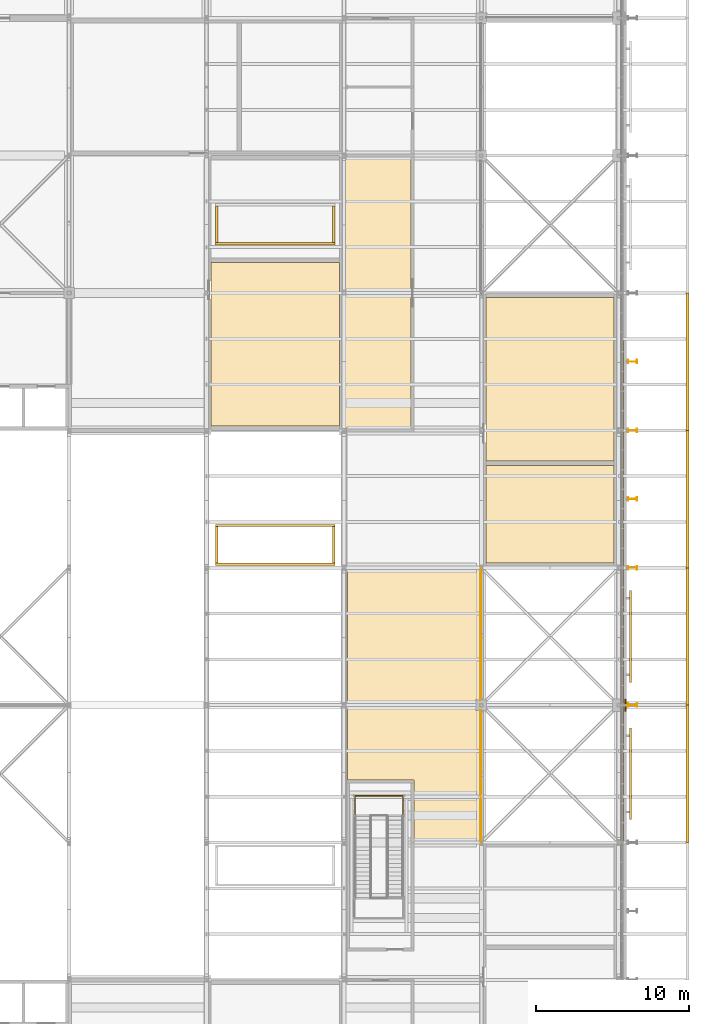
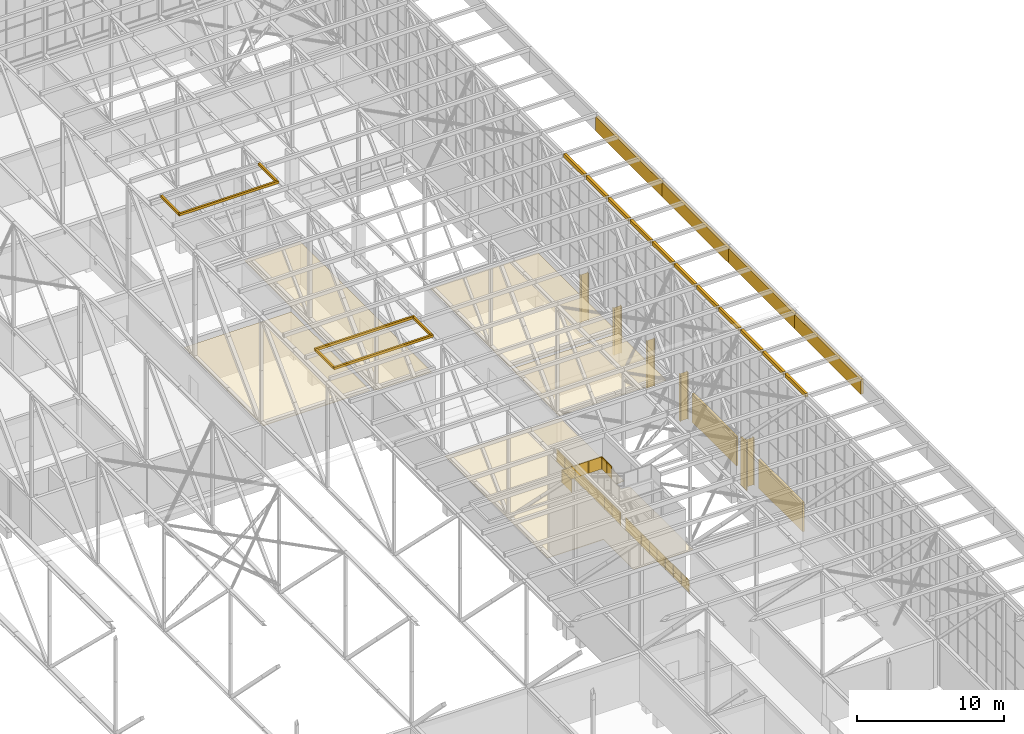
# One storey, part 640 of 646: 28 coverings, 7 shading devices, 3 railings.
"""IFC4 building model written with IfcOpenShell, lengths in metres."""

from ifc_helpers import new_model, si_unit, direction, frame, origin, origin_2d, place, context, subcontext, project, spatial, polyline, rectangle, circle, i_section, outline, extrude, material, layer, layer_set, material_profile, profile_set, type_object, element, save


model = new_model("IFC4")

# Units and contexts
model_context = context("Model", 3, precision=1e-05, world=origin(), true_north=direction((0.0, 1.0)))
body_context = subcontext(model_context, "Body", "Model", "MODEL_VIEW")
ifc_project = project(units=[si_unit("LENGTHUNIT", "METRE"), si_unit("AREAUNIT", "SQUARE_METRE"), si_unit("VOLUMEUNIT", "CUBIC_METRE"), si_unit("PLANEANGLEUNIT", "RADIAN"), si_unit("MASSUNIT", "GRAM", prefix="KILO")], contexts=[model_context])

# Site, building, storey
site_placement = place(None, origin())
site = spatial("IfcSite", under=ifc_project, at=site_placement, CompositionType="ELEMENT")
building_placement = place(site_placement, origin())
building = spatial("IfcBuilding", under=site, at=building_placement, Name="Silverbay Arena", CompositionType="ELEMENT")
storey_placement = place(building_placement, frame((0.0, 0.0, 33.5)))
storey = spatial("IfcBuildingStorey", under=building, at=storey_placement, Name="L05", CompositionType="ELEMENT", Elevation=33.5)

# Coverings
ifc_material_1 = material(Name="Aluminium composite cladding", Category="aluminium")
ifc_layer_1 = layer(ifc_material_1, 0.10009765625)
ifc_layer_set_1 = layer_set([ifc_layer_1], Name="Aluminium composite cladding")
covering_type_1 = type_object("IfcCoveringType", Name="Column cladding 100", PredefinedType="CLADDING", material=ifc_layer_set_1)
covering_1_placement = place(storey_placement, origin())
element("IfcCovering", 1, at=covering_1_placement, inside=storey, type_object=covering_type_1, Name="East column cladding L05 10", PredefinedType="CLADDING", context=body_context, shape_type="SweptSolid", body=[
    extrude(outline(polyline([(207.39990234375, 80.60009765625), (207.5, 80.60009765625), (207.5, 81.39990234375), (207.39990234375, 81.39990234375), (207.39990234375, 80.60009765625)])), origin(), (0.0, 0.0, 1.0), 4.0),
])
ifc_material_2 = material(Name="Fire-resisting board ceiling")
ifc_layer_2 = layer(ifc_material_2, 0.050048828125)
ifc_layer_set_2 = layer_set([ifc_layer_2], Name="Fire-resisting board ceiling")
covering_type_2 = type_object("IfcCoveringType", Name="Fire-resisting ceiling EI 120", PredefinedType="CEILING", material=ifc_layer_set_2)
covering_2_placement = place(storey_placement, frame((0.0, 0.0, 3.5)))
element("IfcCovering", 2, at=covering_2_placement, inside=storey, type_object=covering_type_2, Name="Fire-resisting ceiling 11", PredefinedType="CEILING", context=body_context, shape_type="SweptSolid", body=[
    extrude(outline(polyline([(198.27001953125, 72.06005859375), (198.27001953125, 80.590087890625), (198.02001953125, 80.590087890625), (198.02001953125, 80.639892578125), (197.639892578125, 80.639892578125), (197.639892578125, 81.360107421875), (198.02001953125, 81.360107421875), (198.02001953125, 81.409912109375), (198.27001953125, 81.409912109375), (198.27001953125, 89.93994140625), (198.02001953125, 89.93994140625), (198.02001953125, 89.969970703125), (197.969970703125, 89.969970703125), (197.969970703125, 90.02001953125), (189.22998046875, 90.02001953125), (189.22998046875, 76.10009765625), (193.60009765625, 76.10009765625), (193.60009765625, 72.02001953125), (197.969970703125, 72.02001953125), (197.969970703125, 72.030029296875), (198.02001953125, 72.030029296875), (198.02001953125, 72.06005859375), (198.27001953125, 72.06005859375)])), origin(), (0.0, 0.0, 1.0), 0.050048828125),
])
covering_3_placement = place(storey_placement, frame((0.0, 0.0, 3.5)))
element("IfcCovering", 3, at=covering_3_placement, inside=storey, type_object=covering_type_2, Name="Fire-resisting ceiling 32", PredefinedType="CEILING", context=body_context, shape_type="SweptSolid", body=[
    extrude(outline(polyline([(189.0, 116.840087890625), (189.0, 99.159912109375), (189.22998046875, 99.159912109375), (189.22998046875, 99.10009765625), (193.39990234375, 99.10009765625), (193.39990234375, 116.89990234375), (189.22998046875, 116.89990234375), (189.22998046875, 116.840087890625), (189.0, 116.840087890625)])), origin(), (0.0, 0.0, 1.0), 0.050048828125),
])
covering_4_placement = place(storey_placement, frame((0.0, 0.0, 3.5)))
element("IfcCovering", 4, at=covering_4_placement, inside=storey, type_object=covering_type_2, Name="Fire-resisting ceiling 67", PredefinedType="CEILING", context=body_context, shape_type="SweptSolid", body=[
    extrude(outline(polyline([(206.699951171875, 97.0), (206.699951171875, 107.699951171875), (198.300048828125, 107.699951171875), (198.300048828125, 97.0), (206.699951171875, 97.0)])), origin(), (0.0, 0.0, 1.0), 0.050048828125),
])
covering_5_placement = place(storey_placement, frame((0.0, 0.0, 3.5)))
element("IfcCovering", 5, at=covering_5_placement, inside=storey, type_object=covering_type_2, Name="Fire-resisting ceiling 68", PredefinedType="CEILING", context=body_context, shape_type="SweptSolid", body=[
    extrude(outline(polyline([(206.699951171875, 90.300048828125), (206.699951171875, 96.699951171875), (198.300048828125, 96.699951171875), (198.300048828125, 90.300048828125), (206.699951171875, 90.300048828125)])), origin(), (0.0, 0.0, 1.0), 0.050048828125),
])
covering_6_placement = place(storey_placement, frame((0.0, 0.0, 3.5)))
element("IfcCovering", 6, at=covering_6_placement, inside=storey, type_object=covering_type_2, Name="Fire-resisting ceiling 83", PredefinedType="CEILING", context=body_context, shape_type="SweptSolid", body=[
    extrude(outline(polyline([(180.300048828125, 99.300048828125), (188.699951171875, 99.300048828125), (188.699951171875, 110.0), (180.300048828125, 110.0), (180.300048828125, 99.300048828125)])), origin(), (0.0, 0.0, 1.0), 0.050048828125),
])
ifc_material_3 = material(Name="Insulated metal cladding panel")
ifc_layer_3 = layer(ifc_material_3, 0.199951171875)
ifc_layer_set_3 = layer_set([ifc_layer_3], Name="Insulated metal cladding panel")
covering_type_3 = type_object("IfcCoveringType", Name="Gable head closer 200", PredefinedType="CLADDING", material=ifc_layer_set_3)
covering_7_placement = place(storey_placement, frame((0.0, 0.0, 13.0)))
element("IfcCovering", 7, at=covering_7_placement, inside=storey, type_object=covering_type_3, Name="ROOF GABLE HEAD CLOSER east 22", PredefinedType="CLADDING", context=body_context, shape_type="SweptSolid", body=[
    extrude(outline(polyline([(207.110107421875, 72.10009765625), (207.31005859375, 72.10009765625), (207.31005859375, 74.89990234375), (207.110107421875, 74.89990234375), (207.110107421875, 72.10009765625)])), origin(), (0.0, 0.0, 1.0), 0.300048828125),
])
covering_8_placement = place(storey_placement, frame((0.0, 0.0, 13.0)))
element("IfcCovering", 8, at=covering_8_placement, inside=storey, type_object=covering_type_3, Name="ROOF GABLE HEAD CLOSER east 23", PredefinedType="CLADDING", context=body_context, shape_type="SweptSolid", body=[
    extrude(outline(polyline([(207.110107421875, 75.10009765625), (207.31005859375, 75.10009765625), (207.31005859375, 77.89990234375), (207.110107421875, 77.89990234375), (207.110107421875, 75.10009765625)])), origin(), (0.0, 0.0, 1.0), 0.300048828125),
])
covering_9_placement = place(storey_placement, frame((0.0, 0.0, 13.0)))
element("IfcCovering", 9, at=covering_9_placement, inside=storey, type_object=covering_type_3, Name="ROOF GABLE HEAD CLOSER east 24", PredefinedType="CLADDING", context=body_context, shape_type="SweptSolid", body=[
    extrude(outline(polyline([(207.110107421875, 78.10009765625), (207.31005859375, 78.10009765625), (207.31005859375, 80.89990234375), (207.110107421875, 80.89990234375), (207.110107421875, 78.10009765625)])), origin(), (0.0, 0.0, 1.0), 0.300048828125),
])
covering_10_placement = place(storey_placement, frame((0.0, 0.0, 13.0)))
element("IfcCovering", 10, at=covering_10_placement, inside=storey, type_object=covering_type_3, Name="ROOF GABLE HEAD CLOSER east 25", PredefinedType="CLADDING", context=body_context, shape_type="SweptSolid", body=[
    extrude(outline(polyline([(207.110107421875, 81.10009765625), (207.31005859375, 81.10009765625), (207.31005859375, 83.89990234375), (207.110107421875, 83.89990234375), (207.110107421875, 81.10009765625)])), origin(), (0.0, 0.0, 1.0), 0.300048828125),
])
covering_11_placement = place(storey_placement, frame((0.0, 0.0, 13.0)))
element("IfcCovering", 11, at=covering_11_placement, inside=storey, type_object=covering_type_3, Name="ROOF GABLE HEAD CLOSER east 26", PredefinedType="CLADDING", context=body_context, shape_type="SweptSolid", body=[
    extrude(outline(polyline([(207.110107421875, 84.10009765625), (207.31005859375, 84.10009765625), (207.31005859375, 86.89990234375), (207.110107421875, 86.89990234375), (207.110107421875, 84.10009765625)])), origin(), (0.0, 0.0, 1.0), 0.300048828125),
])
covering_12_placement = place(storey_placement, frame((0.0, 0.0, 13.0)))
element("IfcCovering", 12, at=covering_12_placement, inside=storey, type_object=covering_type_3, Name="ROOF GABLE HEAD CLOSER east 27", PredefinedType="CLADDING", context=body_context, shape_type="SweptSolid", body=[
    extrude(outline(polyline([(207.110107421875, 87.10009765625), (207.31005859375, 87.10009765625), (207.31005859375, 89.89990234375), (207.110107421875, 89.89990234375), (207.110107421875, 87.10009765625)])), origin(), (0.0, 0.0, 1.0), 0.300048828125),
])
covering_13_placement = place(storey_placement, frame((0.0, 0.0, 13.0)))
element("IfcCovering", 13, at=covering_13_placement, inside=storey, type_object=covering_type_3, Name="ROOF GABLE HEAD CLOSER east 28", PredefinedType="CLADDING", context=body_context, shape_type="SweptSolid", body=[
    extrude(outline(polyline([(207.110107421875, 90.10009765625), (207.31005859375, 90.10009765625), (207.31005859375, 92.89990234375), (207.110107421875, 92.89990234375), (207.110107421875, 90.10009765625)])), origin(), (0.0, 0.0, 1.0), 0.300048828125),
])
covering_14_placement = place(storey_placement, frame((0.0, 0.0, 13.0)))
element("IfcCovering", 14, at=covering_14_placement, inside=storey, type_object=covering_type_3, Name="ROOF GABLE HEAD CLOSER east 29", PredefinedType="CLADDING", context=body_context, shape_type="SweptSolid", body=[
    extrude(outline(polyline([(207.110107421875, 93.10009765625), (207.31005859375, 93.10009765625), (207.31005859375, 95.89990234375), (207.110107421875, 95.89990234375), (207.110107421875, 93.10009765625)])), origin(), (0.0, 0.0, 1.0), 0.300048828125),
])
covering_15_placement = place(storey_placement, frame((0.0, 0.0, 13.0)))
element("IfcCovering", 15, at=covering_15_placement, inside=storey, type_object=covering_type_3, Name="ROOF GABLE HEAD CLOSER east 30", PredefinedType="CLADDING", context=body_context, shape_type="SweptSolid", body=[
    extrude(outline(polyline([(207.110107421875, 96.10009765625), (207.31005859375, 96.10009765625), (207.31005859375, 98.89990234375), (207.110107421875, 98.89990234375), (207.110107421875, 96.10009765625)])), origin(), (0.0, 0.0, 1.0), 0.300048828125),
])
covering_16_placement = place(storey_placement, frame((0.0, 0.0, 13.0)))
element("IfcCovering", 16, at=covering_16_placement, inside=storey, type_object=covering_type_3, Name="ROOF GABLE HEAD CLOSER east 31", PredefinedType="CLADDING", context=body_context, shape_type="SweptSolid", body=[
    extrude(outline(polyline([(207.110107421875, 99.10009765625), (207.31005859375, 99.10009765625), (207.31005859375, 101.89990234375), (207.110107421875, 101.89990234375), (207.110107421875, 99.10009765625)])), origin(), (0.0, 0.0, 1.0), 0.300048828125),
])
covering_17_placement = place(storey_placement, frame((0.0, 0.0, 13.0)))
element("IfcCovering", 17, at=covering_17_placement, inside=storey, type_object=covering_type_3, Name="ROOF GABLE HEAD CLOSER east 32", PredefinedType="CLADDING", context=body_context, shape_type="SweptSolid", body=[
    extrude(outline(polyline([(207.110107421875, 102.10009765625), (207.31005859375, 102.10009765625), (207.31005859375, 104.89990234375), (207.110107421875, 104.89990234375), (207.110107421875, 102.10009765625)])), origin(), (0.0, 0.0, 1.0), 0.300048828125),
])

# Shading devices
ifc_material_4 = material(Name="Aluminium", Category="aluminium")
shading_device_type_1 = type_object("IfcShadingDeviceType", Name="Louvre screen 6000 x 2400", PredefinedType="JALOUSIE", material=ifc_material_4)
for number, where, z_axis, x_axis, name in (
    (18, (207.77490234375, 76.5, 0.800048828125), (0.0, 0.0, 1.0), (0.0, 1.0, 0.0), "East plant louvre L05 bay 7"),
    (19, (207.77490234375, 85.5, 0.800048828125), (0.0, 0.0, 1.0), (0.0, 1.0, 0.0), "East plant louvre L05 bay 8"),
):
    element("IfcShadingDevice", number, at=place(storey_placement, frame(where, z_axis=z_axis, x_axis=x_axis)), inside=storey, type_object=shading_device_type_1, Name=name, PredefinedType="JALOUSIE", context=body_context, shape_type="SweptSolid", body=[
        extrude(rectangle(XDim=6.0, YDim=0.14990234375, at=origin_2d()), origin(), (0.0, 0.0, 1.0), 2.39990234375),
    ])

# Railings
ifc_material_5 = material(Name="Stainless steel", Category="steel")
railing_type_1 = type_object("IfcRailingType", Name="Opening guard 1100", PredefinedType="GUARDRAIL", material=ifc_material_5)
railing_1_placement = place(storey_placement, frame((197.9599609375, 72.0, 0.0)))
element("IfcRailing", 20, at=railing_1_placement, inside=storey, type_object=railing_type_1, Name="Opening guard L05 end gallery E-inner edge", PredefinedType="GUARDRAIL", context=body_context, shape_type="SweptSolid", body=[
    extrude(circle(Radius=0.02392578125, at=origin_2d()), frame((0.0, 0.0, 1.076171875), z_axis=(0.0, 1.0, 0.0), x_axis=(-1.0, 0.0, 0.0)), (0.0, 0.0, 1.0), 8.64990234375),
    extrude(outline(polyline([(-0.008056640625, 0.050048828125), (1.08935546875, 0.050048828125), (1.08935546875, 1.052978515625), (-0.008056640625, 1.052978515625), (-0.008056640625, 0.050048828125)])), frame((-0.0029296875, 0.0, 0.0), z_axis=(1.0, 0.0, 0.0), x_axis=(0.0, 1.0, 0.0)), (0.0, 0.0, 1.0), 0.006103515625),
    extrude(outline(polyline([(-0.008056640625, 0.050048828125), (1.08935546875, 0.050048828125), (1.08935546875, 1.052978515625), (-0.008056640625, 1.052978515625), (-0.008056640625, 0.050048828125)])), frame((-0.0029296875, 1.081298828125, 0.0), z_axis=(1.0, 0.0, 0.0), x_axis=(0.0, 1.0, 0.0)), (0.0, 0.0, 1.0), 0.006103515625),
    extrude(outline(polyline([(-0.008056640625, 0.050048828125), (1.08935546875, 0.050048828125), (1.08935546875, 1.052978515625), (-0.008056640625, 1.052978515625), (-0.008056640625, 0.050048828125)])), frame((-0.0029296875, 2.16259765625, 0.0), z_axis=(1.0, 0.0, 0.0), x_axis=(0.0, 1.0, 0.0)), (0.0, 0.0, 1.0), 0.006103515625),
    extrude(outline(polyline([(-0.008056640625, 0.050048828125), (1.08935546875, 0.050048828125), (1.08935546875, 1.052978515625), (-0.008056640625, 1.052978515625), (-0.008056640625, 0.050048828125)])), frame((-0.0029296875, 3.24365234375, 0.0), z_axis=(1.0, 0.0, 0.0), x_axis=(0.0, 1.0, 0.0)), (0.0, 0.0, 1.0), 0.006103515625),
    extrude(outline(polyline([(-0.008056640625, 0.050048828125), (1.08935546875, 0.050048828125), (1.08935546875, 1.052978515625), (-0.008056640625, 1.052978515625), (-0.008056640625, 0.050048828125)])), frame((-0.0029296875, 4.324951171875, 0.0), z_axis=(1.0, 0.0, 0.0), x_axis=(0.0, 1.0, 0.0)), (0.0, 0.0, 1.0), 0.006103515625),
    extrude(outline(polyline([(-0.008056640625, 0.050048828125), (1.08935546875, 0.050048828125), (1.08935546875, 1.052978515625), (-0.008056640625, 1.052978515625), (-0.008056640625, 0.050048828125)])), frame((-0.0029296875, 5.40625, 0.0), z_axis=(1.0, 0.0, 0.0), x_axis=(0.0, 1.0, 0.0)), (0.0, 0.0, 1.0), 0.006103515625),
    extrude(outline(polyline([(-0.008056640625, 0.050048828125), (1.08935546875, 0.050048828125), (1.08935546875, 1.052978515625), (-0.008056640625, 1.052978515625), (-0.008056640625, 0.050048828125)])), frame((-0.0029296875, 6.4873046875, 0.0), z_axis=(1.0, 0.0, 0.0), x_axis=(0.0, 1.0, 0.0)), (0.0, 0.0, 1.0), 0.006103515625),
    extrude(outline(polyline([(-0.008056640625, 0.050048828125), (1.08935546875, 0.050048828125), (1.08935546875, 1.052978515625), (-0.008056640625, 1.052978515625), (-0.008056640625, 0.050048828125)])), frame((-0.0029296875, 7.568603515625, 0.0), z_axis=(1.0, 0.0, 0.0), x_axis=(0.0, 1.0, 0.0)), (0.0, 0.0, 1.0), 0.006103515625),
    extrude(circle(Radius=0.02099609375, at=origin_2d()), origin(), (0.0, 0.0, 1.0), 1.052001953125),
    extrude(circle(Radius=0.02099609375, at=origin_2d()), frame((0.0, 1.081298828125, 0.0)), (0.0, 0.0, 1.0), 1.052001953125),
    extrude(circle(Radius=0.02099609375, at=origin_2d()), frame((0.0, 2.16259765625, 0.0)), (0.0, 0.0, 1.0), 1.052001953125),
    extrude(circle(Radius=0.02099609375, at=origin_2d()), frame((0.0, 3.24365234375, 0.0)), (0.0, 0.0, 1.0), 1.052001953125),
    extrude(circle(Radius=0.02099609375, at=origin_2d()), frame((0.0, 4.324951171875, 0.0)), (0.0, 0.0, 1.0), 1.052001953125),
    extrude(circle(Radius=0.02099609375, at=origin_2d()), frame((0.0, 5.40625, 0.0)), (0.0, 0.0, 1.0), 1.052001953125),
    extrude(circle(Radius=0.02099609375, at=origin_2d()), frame((0.0, 6.4873046875, 0.0)), (0.0, 0.0, 1.0), 1.052001953125),
    extrude(circle(Radius=0.02099609375, at=origin_2d()), frame((0.0, 7.568603515625, 0.0)), (0.0, 0.0, 1.0), 1.052001953125),
    extrude(circle(Radius=0.02099609375, at=origin_2d()), frame((0.0, 8.64990234375, 0.0)), (0.0, 0.0, 1.0), 1.052001953125),
])
railing_2_placement = place(storey_placement, frame((197.9599609375, 81.35009765625, 0.0)))
element("IfcRailing", 21, at=railing_2_placement, inside=storey, type_object=railing_type_1, Name="Opening guard L05 end gallery E-inner edge", PredefinedType="GUARDRAIL", context=body_context, shape_type="SweptSolid", body=[
    extrude(circle(Radius=0.02392578125, at=origin_2d()), frame((0.0, 0.0, 1.076171875), z_axis=(0.0, 1.0, 0.0), x_axis=(-1.0, 0.0, 0.0)), (0.0, 0.0, 1.0), 8.64990234375),
    extrude(outline(polyline([(-0.008056640625, 0.050048828125), (1.08935546875, 0.050048828125), (1.08935546875, 1.052978515625), (-0.008056640625, 1.052978515625), (-0.008056640625, 0.050048828125)])), frame((-0.0029296875, 0.0, 0.0), z_axis=(1.0, 0.0, 0.0), x_axis=(0.0, 1.0, 0.0)), (0.0, 0.0, 1.0), 0.006103515625),
    extrude(outline(polyline([(-0.008056640625, 0.050048828125), (1.08935546875, 0.050048828125), (1.08935546875, 1.052978515625), (-0.008056640625, 1.052978515625), (-0.008056640625, 0.050048828125)])), frame((-0.0029296875, 1.081298828125, 0.0), z_axis=(1.0, 0.0, 0.0), x_axis=(0.0, 1.0, 0.0)), (0.0, 0.0, 1.0), 0.006103515625),
    extrude(outline(polyline([(-0.008056640625, 0.050048828125), (1.08935546875, 0.050048828125), (1.08935546875, 1.052978515625), (-0.008056640625, 1.052978515625), (-0.008056640625, 0.050048828125)])), frame((-0.0029296875, 2.16259765625, 0.0), z_axis=(1.0, 0.0, 0.0), x_axis=(0.0, 1.0, 0.0)), (0.0, 0.0, 1.0), 0.006103515625),
    extrude(outline(polyline([(-0.008056640625, 0.050048828125), (1.08935546875, 0.050048828125), (1.08935546875, 1.052978515625), (-0.008056640625, 1.052978515625), (-0.008056640625, 0.050048828125)])), frame((-0.0029296875, 3.24365234375, 0.0), z_axis=(1.0, 0.0, 0.0), x_axis=(0.0, 1.0, 0.0)), (0.0, 0.0, 1.0), 0.006103515625),
    extrude(outline(polyline([(-0.008056640625, 0.050048828125), (1.08935546875, 0.050048828125), (1.08935546875, 1.052978515625), (-0.008056640625, 1.052978515625), (-0.008056640625, 0.050048828125)])), frame((-0.0029296875, 4.324951171875, 0.0), z_axis=(1.0, 0.0, 0.0), x_axis=(0.0, 1.0, 0.0)), (0.0, 0.0, 1.0), 0.006103515625),
    extrude(outline(polyline([(-0.008056640625, 0.050048828125), (1.08935546875, 0.050048828125), (1.08935546875, 1.052978515625), (-0.008056640625, 1.052978515625), (-0.008056640625, 0.050048828125)])), frame((-0.0029296875, 5.40625, 0.0), z_axis=(1.0, 0.0, 0.0), x_axis=(0.0, 1.0, 0.0)), (0.0, 0.0, 1.0), 0.006103515625),
    extrude(outline(polyline([(-0.008056640625, 0.050048828125), (1.08935546875, 0.050048828125), (1.08935546875, 1.052978515625), (-0.008056640625, 1.052978515625), (-0.008056640625, 0.050048828125)])), frame((-0.0029296875, 6.4873046875, 0.0), z_axis=(1.0, 0.0, 0.0), x_axis=(0.0, 1.0, 0.0)), (0.0, 0.0, 1.0), 0.006103515625),
    extrude(outline(polyline([(-0.008056640625, 0.050048828125), (1.08935546875, 0.050048828125), (1.08935546875, 1.052978515625), (-0.008056640625, 1.052978515625), (-0.008056640625, 0.050048828125)])), frame((-0.0029296875, 7.568603515625, 0.0), z_axis=(1.0, 0.0, 0.0), x_axis=(0.0, 1.0, 0.0)), (0.0, 0.0, 1.0), 0.006103515625),
    extrude(circle(Radius=0.02099609375, at=origin_2d()), origin(), (0.0, 0.0, 1.0), 1.052001953125),
    extrude(circle(Radius=0.02099609375, at=origin_2d()), frame((0.0, 1.081298828125, 0.0)), (0.0, 0.0, 1.0), 1.052001953125),
    extrude(circle(Radius=0.02099609375, at=origin_2d()), frame((0.0, 2.16259765625, 0.0)), (0.0, 0.0, 1.0), 1.052001953125),
    extrude(circle(Radius=0.02099609375, at=origin_2d()), frame((0.0, 3.24365234375, 0.0)), (0.0, 0.0, 1.0), 1.052001953125),
    extrude(circle(Radius=0.02099609375, at=origin_2d()), frame((0.0, 4.324951171875, 0.0)), (0.0, 0.0, 1.0), 1.052001953125),
    extrude(circle(Radius=0.02099609375, at=origin_2d()), frame((0.0, 5.40625, 0.0)), (0.0, 0.0, 1.0), 1.052001953125),
    extrude(circle(Radius=0.02099609375, at=origin_2d()), frame((0.0, 6.4873046875, 0.0)), (0.0, 0.0, 1.0), 1.052001953125),
    extrude(circle(Radius=0.02099609375, at=origin_2d()), frame((0.0, 7.568603515625, 0.0)), (0.0, 0.0, 1.0), 1.052001953125),
    extrude(circle(Radius=0.02099609375, at=origin_2d()), frame((0.0, 8.64990234375, 0.0)), (0.0, 0.0, 1.0), 1.052001953125),
])

# Coverings
ifc_material_6 = material(Name="Insulated metal cladding panel")
ifc_layer_4 = layer(ifc_material_6, 0.199951171875)
ifc_layer_set_4 = layer_set([ifc_layer_4], Name="Insulated metal cladding panel")
covering_type_4 = type_object("IfcCoveringType", Name="Roof edge fascia 200", PredefinedType="CLADDING", material=ifc_layer_set_4)
covering_18_placement = place(storey_placement, frame((0.0, 0.0, 11.800048828125)))
element("IfcCovering", 22, at=covering_18_placement, inside=storey, type_object=covering_type_4, Name="ROOF EDGE FASCIA east bay 08", PredefinedType="CLADDING", context=body_context, shape_type="SweptSolid", body=[
    extrude(outline(polyline([(211.39990234375, 72.0), (211.60009765625, 72.0), (211.60009765625, 81.0), (211.39990234375, 81.0), (211.39990234375, 72.0)])), origin(), (0.0, 0.0, 1.0), 1.199951171875),
])
covering_19_placement = place(storey_placement, frame((0.0, 0.0, 11.800048828125)))
element("IfcCovering", 23, at=covering_19_placement, inside=storey, type_object=covering_type_4, Name="ROOF EDGE FASCIA east bay 09", PredefinedType="CLADDING", context=body_context, shape_type="SweptSolid", body=[
    extrude(outline(polyline([(211.39990234375, 81.0), (211.60009765625, 81.0), (211.60009765625, 90.0), (211.39990234375, 90.0), (211.39990234375, 81.0)])), origin(), (0.0, 0.0, 1.0), 1.199951171875),
])
covering_20_placement = place(storey_placement, frame((0.0, 0.0, 11.800048828125)))
element("IfcCovering", 24, at=covering_20_placement, inside=storey, type_object=covering_type_4, Name="ROOF EDGE FASCIA east bay 10", PredefinedType="CLADDING", context=body_context, shape_type="SweptSolid", body=[
    extrude(outline(polyline([(211.39990234375, 90.0), (211.60009765625, 90.0), (211.60009765625, 99.0), (211.39990234375, 99.0), (211.39990234375, 90.0)])), origin(), (0.0, 0.0, 1.0), 1.199951171875),
])
covering_21_placement = place(storey_placement, frame((0.0, 0.0, 11.800048828125)))
element("IfcCovering", 25, at=covering_21_placement, inside=storey, type_object=covering_type_4, Name="ROOF EDGE FASCIA east bay 11", PredefinedType="CLADDING", context=body_context, shape_type="SweptSolid", body=[
    extrude(outline(polyline([(211.39990234375, 99.0), (211.60009765625, 99.0), (211.60009765625, 108.0), (211.39990234375, 108.0), (211.39990234375, 99.0)])), origin(), (0.0, 0.0, 1.0), 1.199951171875),
])
ifc_material_7 = material(Name="Insulated metal curb")
ifc_layer_5 = layer(ifc_material_7, 0.14990234375)
ifc_layer_set_5 = layer_set([ifc_layer_5], Name="Insulated metal curb")
covering_type_5 = type_object("IfcCoveringType", Name="Roof light curb 150", PredefinedType="CLADDING", material=ifc_layer_set_5)
covering_22_placement = place(storey_placement, frame((0.0, 0.0, 13.60009765625)))
element("IfcCovering", 26, at=covering_22_placement, inside=storey, type_object=covering_type_5, Name="ROOF LIGHT CURB 06 S", PredefinedType="CLADDING", context=body_context, shape_type="SweptSolid", body=[
    extrude(outline(polyline([(180.60009765625, 90.14990234375), (188.39990234375, 90.14990234375), (188.39990234375, 90.300048828125), (180.60009765625, 90.300048828125), (180.60009765625, 90.14990234375)])), origin(), (0.0, 0.0, 1.0), 0.199951171875),
])
covering_23_placement = place(storey_placement, frame((0.0, 0.0, 13.60009765625)))
element("IfcCovering", 27, at=covering_23_placement, inside=storey, type_object=covering_type_5, Name="ROOF LIGHT CURB 06 N", PredefinedType="CLADDING", context=body_context, shape_type="SweptSolid", body=[
    extrude(outline(polyline([(180.60009765625, 92.699951171875), (188.39990234375, 92.699951171875), (188.39990234375, 92.85009765625), (180.60009765625, 92.85009765625), (180.60009765625, 92.699951171875)])), origin(), (0.0, 0.0, 1.0), 0.199951171875),
])
covering_24_placement = place(storey_placement, frame((0.0, 0.0, 13.60009765625)))
element("IfcCovering", 28, at=covering_24_placement, inside=storey, type_object=covering_type_5, Name="ROOF LIGHT CURB 06 W", PredefinedType="CLADDING", context=body_context, shape_type="SweptSolid", body=[
    extrude(outline(polyline([(180.60009765625, 90.300048828125), (180.75, 90.300048828125), (180.75, 92.699951171875), (180.60009765625, 92.699951171875), (180.60009765625, 90.300048828125)])), origin(), (0.0, 0.0, 1.0), 0.199951171875),
])
covering_25_placement = place(storey_placement, frame((0.0, 0.0, 13.60009765625)))
element("IfcCovering", 29, at=covering_25_placement, inside=storey, type_object=covering_type_5, Name="ROOF LIGHT CURB 06 E", PredefinedType="CLADDING", context=body_context, shape_type="SweptSolid", body=[
    extrude(outline(polyline([(188.25, 90.300048828125), (188.39990234375, 90.300048828125), (188.39990234375, 92.699951171875), (188.25, 92.699951171875), (188.25, 90.300048828125)])), origin(), (0.0, 0.0, 1.0), 0.199951171875),
])
covering_26_placement = place(storey_placement, frame((0.0, 0.0, 13.60009765625)))
element("IfcCovering", 30, at=covering_26_placement, inside=storey, type_object=covering_type_5, Name="ROOF LIGHT CURB 08 S", PredefinedType="CLADDING", context=body_context, shape_type="SweptSolid", body=[
    extrude(outline(polyline([(180.60009765625, 111.14990234375), (188.39990234375, 111.14990234375), (188.39990234375, 111.300048828125), (180.60009765625, 111.300048828125), (180.60009765625, 111.14990234375)])), origin(), (0.0, 0.0, 1.0), 0.199951171875),
])
covering_27_placement = place(storey_placement, frame((0.0, 0.0, 13.60009765625)))
element("IfcCovering", 31, at=covering_27_placement, inside=storey, type_object=covering_type_5, Name="ROOF LIGHT CURB 08 W", PredefinedType="CLADDING", context=body_context, shape_type="SweptSolid", body=[
    extrude(outline(polyline([(180.60009765625, 111.300048828125), (180.75, 111.300048828125), (180.75, 113.699951171875), (180.60009765625, 113.699951171875), (180.60009765625, 111.300048828125)])), origin(), (0.0, 0.0, 1.0), 0.199951171875),
])
covering_28_placement = place(storey_placement, frame((0.0, 0.0, 13.60009765625)))
element("IfcCovering", 32, at=covering_28_placement, inside=storey, type_object=covering_type_5, Name="ROOF LIGHT CURB 08 E", PredefinedType="CLADDING", context=body_context, shape_type="SweptSolid", body=[
    extrude(outline(polyline([(188.25, 111.300048828125), (188.39990234375, 111.300048828125), (188.39990234375, 113.699951171875), (188.25, 113.699951171875), (188.25, 111.300048828125)])), origin(), (0.0, 0.0, 1.0), 0.199951171875),
])

# Railing
ifc_material_8 = material(Name="Stainless steel", Category="steel")
railing_type_2 = type_object("IfcRailingType", Name="Stair guard 1100", PredefinedType="GUARDRAIL", material=ifc_material_8)
railing_3_placement = place(storey_placement, frame((192.875, 73.719970703125, 10.199951171875)))
element("IfcRailing", 33, at=railing_3_placement, inside=storey, type_object=railing_type_2, Name="Stair RA2 L05 to ROOF landing 3 guard", PredefinedType="GUARDRAIL", context=body_context, shape_type="SweptSolid", body=[
    extrude(circle(Radius=0.02392578125, at=origin_2d()), frame((0.0, 0.0, 1.076171875), z_axis=(0.0, 1.0, 0.0), x_axis=(-1.0, 0.0, 0.0)), (0.0, 0.0, 1.0), 1.35009765625),
    extrude(outline(polyline([(-0.008056640625, 0.050048828125), (0.68310546875, 0.050048828125), (0.68310546875, 1.052978515625), (-0.008056640625, 1.052978515625), (-0.008056640625, 0.050048828125)])), frame((-0.0029296875, 0.0, 0.0), z_axis=(1.0, 0.0, 0.0), x_axis=(0.0, 1.0, 0.0)), (0.0, 0.0, 1.0), 0.006103515625),
    extrude(outline(polyline([(-0.008056640625, 0.050048828125), (0.68310546875, 0.050048828125), (0.68310546875, 1.052978515625), (-0.008056640625, 1.052978515625), (-0.008056640625, 0.050048828125)])), frame((-0.0029296875, 0.675048828125, 0.0), z_axis=(1.0, 0.0, 0.0), x_axis=(0.0, 1.0, 0.0)), (0.0, 0.0, 1.0), 0.006103515625),
    extrude(circle(Radius=0.02392578125, at=origin_2d()), frame((0.0, 1.35009765625, 1.076171875), z_axis=(-1.0, 0.0, 0.0), x_axis=(0.0, -1.0, 0.0)), (0.0, 0.0, 1.0), 3.14990234375),
    extrude(outline(polyline([(-0.008056640625, 0.050048828125), (1.057861328125, 0.050048828125), (1.057861328125, 1.052978515625), (-0.008056640625, 1.052978515625), (-0.008056640625, 0.050048828125)])), frame((0.0, 1.34716796875, 0.0), z_axis=(0.0, 1.0, 0.0), x_axis=(-1.0, 0.0, 0.0)), (0.0, 0.0, 1.0), 0.006103515625),
    extrude(outline(polyline([(-0.008056640625, 0.050048828125), (1.057861328125, 0.050048828125), (1.057861328125, 1.052978515625), (-0.008056640625, 1.052978515625), (-0.008056640625, 0.050048828125)])), frame((-1.050048828125, 1.34716796875, 0.0), z_axis=(0.0, 1.0, 0.0), x_axis=(-1.0, 0.0, 0.0)), (0.0, 0.0, 1.0), 0.006103515625),
    extrude(outline(polyline([(-0.008056640625, 0.050048828125), (1.057861328125, 0.050048828125), (1.057861328125, 1.052978515625), (-0.008056640625, 1.052978515625), (-0.008056640625, 0.050048828125)])), frame((-2.099853515625, 1.34716796875, 0.0), z_axis=(0.0, 1.0, 0.0), x_axis=(-1.0, 0.0, 0.0)), (0.0, 0.0, 1.0), 0.006103515625),
    extrude(circle(Radius=0.02392578125, at=origin_2d()), frame((-3.14990234375, 1.35009765625, 1.076171875), z_axis=(0.0, -1.0, 0.0), x_axis=(1.0, 0.0, 0.0)), (0.0, 0.0, 1.0), 1.35009765625),
    extrude(outline(polyline([(-0.008056640625, 0.050048828125), (0.68310546875, 0.050048828125), (0.68310546875, 1.052978515625), (-0.008056640625, 1.052978515625), (-0.008056640625, 0.050048828125)])), frame((-3.14697265625, 1.35009765625, 0.0), z_axis=(-1.0, 0.0, 0.0), x_axis=(0.0, -1.0, 0.0)), (0.0, 0.0, 1.0), 0.006103515625),
    extrude(outline(polyline([(-0.008056640625, 0.050048828125), (0.68310546875, 0.050048828125), (0.68310546875, 1.052978515625), (-0.008056640625, 1.052978515625), (-0.008056640625, 0.050048828125)])), frame((-3.14697265625, 0.675048828125, 0.0), z_axis=(-1.0, 0.0, 0.0), x_axis=(0.0, -1.0, 0.0)), (0.0, 0.0, 1.0), 0.006103515625),
    extrude(circle(Radius=0.02099609375, at=origin_2d()), origin(), (0.0, 0.0, 1.0), 1.052001953125),
    extrude(circle(Radius=0.02099609375, at=origin_2d()), frame((0.0, 0.675048828125, 0.0)), (0.0, 0.0, 1.0), 1.052001953125),
    extrude(circle(Radius=0.02099609375, at=origin_2d()), frame((0.0, 1.35009765625, 0.0)), (0.0, 0.0, 1.0), 1.052001953125),
    extrude(circle(Radius=0.02099609375, at=origin_2d()), frame((-1.050048828125, 1.35009765625, 0.0)), (0.0, 0.0, 1.0), 1.052001953125),
    extrude(circle(Radius=0.02099609375, at=origin_2d()), frame((-2.099853515625, 1.35009765625, 0.0)), (0.0, 0.0, 1.0), 1.052001953125),
    extrude(circle(Radius=0.02099609375, at=origin_2d()), frame((-3.14990234375, 1.35009765625, 0.0)), (0.0, 0.0, 1.0), 1.052001953125),
    extrude(circle(Radius=0.02099609375, at=origin_2d()), frame((-3.14990234375, 0.675048828125, 0.0)), (0.0, 0.0, 1.0), 1.052001953125),
    extrude(circle(Radius=0.02099609375, at=origin_2d()), frame((-3.14990234375, 0.0, 0.0)), (0.0, 0.0, 1.0), 1.052001953125),
])

# Shading devices
ifc_material_9 = material(Name="Steel S355", Category="steel")
ifc_material_profile = material_profile(ifc_material_9, i_section(OverallWidth=0.2275390625, OverallDepth=0.6025390625, WebThickness=0.010498046875, FlangeThickness=0.014892578125, at=origin_2d()), Name="UB 610x229x101")
ifc_profile_set = profile_set([ifc_material_profile], Name="Steel S355")
shading_device_type_2 = type_object("IfcShadingDeviceType", Name="Steel fin UB 610x229x101", PredefinedType="USERDEFINED", material=ifc_profile_set)
for number, where, z_axis, x_axis, name in (
    (34, (207.9013671875, 81.0, 0.0), (0.0, 0.0, 1.0), (0.0, 1.0, 0.0), "Steel fin E L05 14"),
    (35, (207.9013671875, 90.0, 0.0), (0.0, 0.0, 1.0), (0.0, 1.0, 0.0), "Steel fin E L05 16"),
    (36, (207.9013671875, 94.5, 0.0), (0.0, 0.0, 1.0), (0.0, 1.0, 0.0), "Steel fin E L05 17"),
    (37, (207.9013671875, 99.0, 0.0), (0.0, 0.0, 1.0), (0.0, 1.0, 0.0), "Steel fin E L05 18"),
    (38, (207.9013671875, 103.5, 0.0), (0.0, 0.0, 1.0), (0.0, 1.0, 0.0), "Steel fin E L05 19"),
):
    element("IfcShadingDevice", number, at=place(storey_placement, frame(where, z_axis=z_axis, x_axis=x_axis)), inside=storey, type_object=shading_device_type_2, Name=name, ObjectType="FIN", PredefinedType="USERDEFINED", context=body_context, shape_type="SweptSolid", body=[
        extrude(i_section(OverallWidth=0.2275390625, OverallDepth=0.6025390625, WebThickness=0.010498046875, FlangeThickness=0.014892578125, at=origin_2d()), origin(), (0.0, 0.0, 1.0), 3.93994140625),
    ])

save(model, "model.ifc")
